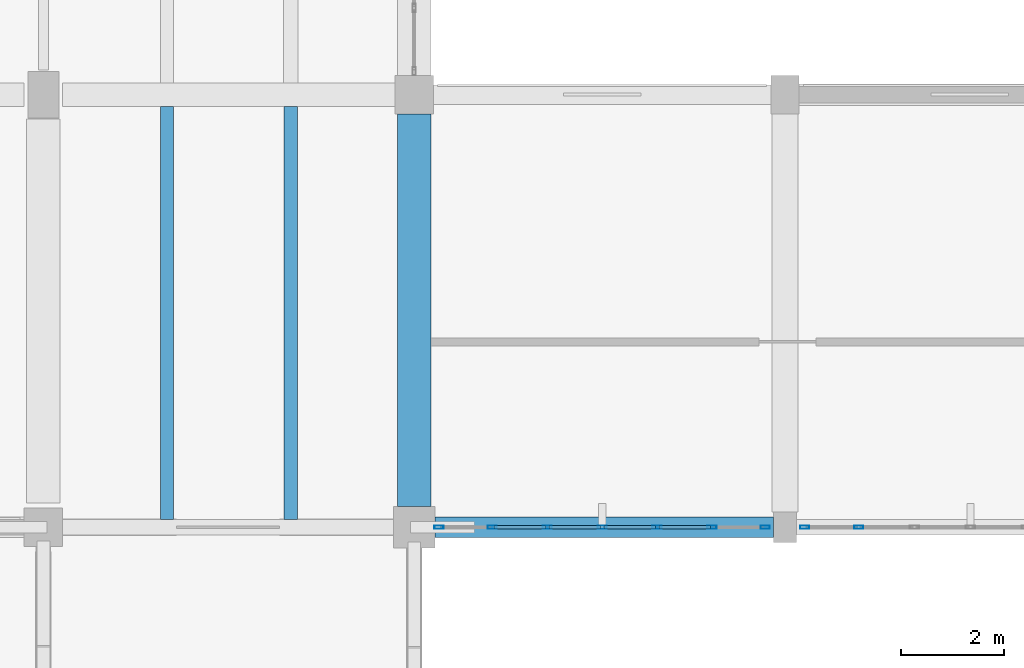
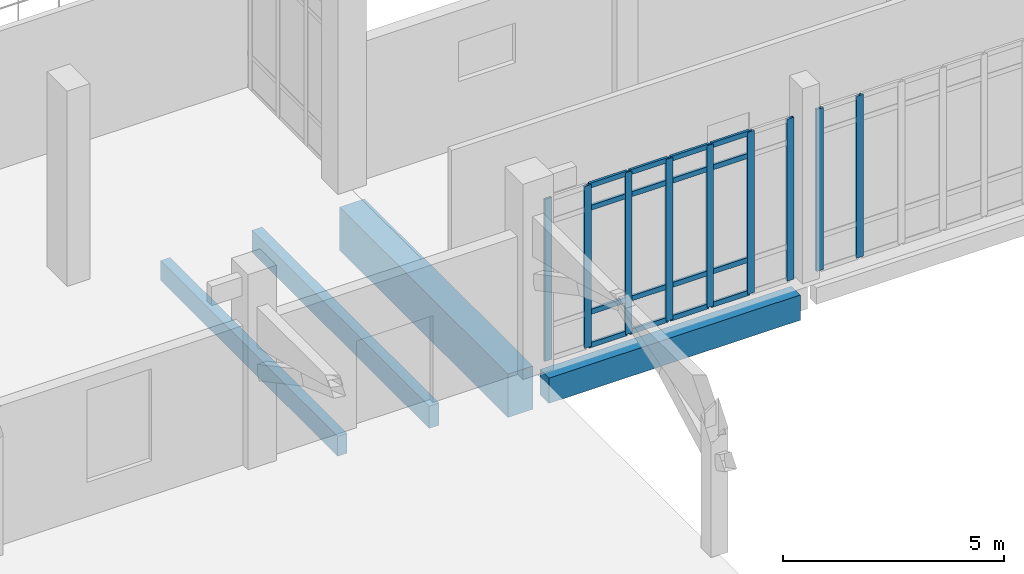
# One storey, part 53 of 110: 25 members, 4 beams, 2 elements without a shape of their own.
"""IFC4 building model written with IfcOpenShell, lengths in metres."""

from ifc_helpers import new_model, si_unit, direction, frame, origin, origin_2d, place, context, subcontext, project, spatial, rectangle, hollow_rectangle, extrude, material, material_profile, profile_set, type_object, element, aggregate, save


model = new_model("IFC4")

# Units and contexts
model_context = context("Model", 3, precision=1e-05, world=origin(), true_north=direction((0.0, 1.0)))
body_context = subcontext(model_context, "Body", "Model", "MODEL_VIEW")
ifc_project = project(units=[si_unit("LENGTHUNIT", "METRE"), si_unit("AREAUNIT", "SQUARE_METRE"), si_unit("VOLUMEUNIT", "CUBIC_METRE"), si_unit("PLANEANGLEUNIT", "RADIAN"), si_unit("MASSUNIT", "GRAM", prefix="KILO")], contexts=[model_context])

# Site, building, storey
site_placement = place(None, origin())
site = spatial("IfcSite", under=ifc_project, at=site_placement, CompositionType="ELEMENT")
building_placement = place(site_placement, origin())
building = spatial("IfcBuilding", under=site, at=building_placement, Name="Kalluvel Institute of Natural Sciences", CompositionType="ELEMENT")
storey_placement = place(building_placement, origin())
storey = spatial("IfcBuildingStorey", under=building, at=storey_placement, Name="L00", CompositionType="ELEMENT", Elevation=0.0)

# Beam
ifc_material_1 = material(Name="Concrete M50", Category="concrete")
ifc_material_profile_1 = material_profile(ifc_material_1, rectangle(XDim=0.64990234375, YDim=1.199951171875, at=origin_2d()), Name="RCB 650x1200")
ifc_profile_set_1 = profile_set([ifc_material_profile_1], Name="Concrete M50")
beam_type_1 = type_object("IfcBeamType", Name="BM-RC650x1200", PredefinedType="BEAM", material=ifc_profile_set_1)
beam_1_placement = place(storey_placement, frame((114.800048828125, 103.199951171875, -0.9599609375), z_axis=(0.0, 1.0, 0.0), x_axis=(-1.0, 0.0, 0.0)))
element("IfcBeam", 1, at=beam_1_placement, inside=storey, type_object=beam_type_1, Name="L00 girder GIR-L00-NS-X1148-Y1028", PredefinedType="BEAM", context=body_context, shape_type="SweptSolid", body=[
    extrude(rectangle(XDim=0.64990234375, YDim=1.199951171875, at=origin_2d()), origin(), (0.0, 0.0, 1.0), 7.625),
])

# Curtain wall, members
ifc_material_2 = material(Name="Aluminium AW-6063 T6", Category="aluminium")
curtain_wall_type = type_object("IfcCurtainWallType", Name="CW-CLN-54", PredefinedType="USERDEFINED", material=ifc_material_2)
curtain_wall_1_placement = place(storey_placement, origin())
curtain_wall_1 = element("IfcCurtainWall", 2, at=curtain_wall_1_placement, inside=storey, type_object=curtain_wall_type, Name="L00 Gothic lancet curtain wall CWA-L00-X1152-Y1028", ObjectType="UNITISED LANCET FACADE", PredefinedType="USERDEFINED")
ifc_material_profile_2 = material_profile(ifc_material_2, hollow_rectangle(XDim=0.06494140625, YDim=0.179931640625, WallThickness=0.00439453125, at=origin_2d()), Name="CWM 65x180")
ifc_profile_set_2 = profile_set([ifc_material_profile_2], Name="Aluminium AW-6063 T6")
member_type_1 = type_object("IfcMemberType", Name="CWM-65x180", PredefinedType="MULLION", material=ifc_profile_set_2)
member_1_placement = place(storey_placement, frame((115.282470703125, 102.800048828125, 0.0), z_axis=(0.0, 0.0, 1.0), x_axis=(0.0, 1.0, 0.0)))
member_1 = element("IfcMember", 3, at=member_1_placement, type_object=member_type_1, Name="CW-09 mullion 1", PredefinedType="MULLION", context=body_context, shape_type="SweptSolid", body=[
    extrude(hollow_rectangle(XDim=0.06494140625, YDim=0.179931640625, WallThickness=0.00439453125, at=origin_2d()), origin(), (0.0, 0.0, 1.0), 4.47998046875),
])
member_2_placement = place(storey_placement, frame((116.316650390625, 102.800048828125, 0.0), z_axis=(0.0, 0.0, 1.0), x_axis=(0.0, 1.0, 0.0)))
member_2 = element("IfcMember", 4, at=member_2_placement, type_object=member_type_1, Name="CW-09 mullion 2", PredefinedType="MULLION", context=body_context, shape_type="SweptSolid", body=[
    extrude(hollow_rectangle(XDim=0.06494140625, YDim=0.179931640625, WallThickness=0.00439453125, at=origin_2d()), origin(), (0.0, 0.0, 1.0), 4.47998046875),
])
member_3_placement = place(storey_placement, frame((117.38330078125, 102.800048828125, 0.0), z_axis=(0.0, 0.0, 1.0), x_axis=(0.0, 1.0, 0.0)))
member_3 = element("IfcMember", 5, at=member_3_placement, type_object=member_type_1, Name="CW-09 mullion 3", PredefinedType="MULLION", context=body_context, shape_type="SweptSolid", body=[
    extrude(hollow_rectangle(XDim=0.06494140625, YDim=0.179931640625, WallThickness=0.00439453125, at=origin_2d()), origin(), (0.0, 0.0, 1.0), 4.47998046875),
])
member_4_placement = place(storey_placement, frame((118.449951171875, 102.800048828125, 0.0), z_axis=(0.0, 0.0, 1.0), x_axis=(0.0, 1.0, 0.0)))
member_4 = element("IfcMember", 6, at=member_4_placement, type_object=member_type_1, Name="CW-09 mullion 4", PredefinedType="MULLION", context=body_context, shape_type="SweptSolid", body=[
    extrude(hollow_rectangle(XDim=0.06494140625, YDim=0.179931640625, WallThickness=0.00439453125, at=origin_2d()), origin(), (0.0, 0.0, 1.0), 4.47998046875),
])
member_5_placement = place(storey_placement, frame((119.5166015625, 102.800048828125, 0.0), z_axis=(0.0, 0.0, 1.0), x_axis=(0.0, 1.0, 0.0)))
member_5 = element("IfcMember", 7, at=member_5_placement, type_object=member_type_1, Name="CW-09 mullion 5", PredefinedType="MULLION", context=body_context, shape_type="SweptSolid", body=[
    extrude(hollow_rectangle(XDim=0.06494140625, YDim=0.179931640625, WallThickness=0.00439453125, at=origin_2d()), origin(), (0.0, 0.0, 1.0), 4.47998046875),
])
member_6_placement = place(storey_placement, frame((120.583251953125, 102.800048828125, 0.0), z_axis=(0.0, 0.0, 1.0), x_axis=(0.0, 1.0, 0.0)))
member_6 = element("IfcMember", 8, at=member_6_placement, type_object=member_type_1, Name="CW-09 mullion 6", PredefinedType="MULLION", context=body_context, shape_type="SweptSolid", body=[
    extrude(hollow_rectangle(XDim=0.06494140625, YDim=0.179931640625, WallThickness=0.00439453125, at=origin_2d()), origin(), (0.0, 0.0, 1.0), 4.47998046875),
])
member_7_placement = place(storey_placement, frame((121.617431640625, 102.800048828125, 0.0), z_axis=(0.0, 0.0, 1.0), x_axis=(0.0, 1.0, 0.0)))
member_7 = element("IfcMember", 9, at=member_7_placement, type_object=member_type_1, Name="CW-09 mullion 7", PredefinedType="MULLION", context=body_context, shape_type="SweptSolid", body=[
    extrude(hollow_rectangle(XDim=0.06494140625, YDim=0.179931640625, WallThickness=0.00439453125, at=origin_2d()), origin(), (0.0, 0.0, 1.0), 4.47998046875),
])

curtain_wall_2_placement = place(storey_placement, origin())
curtain_wall_2 = element("IfcCurtainWall", 10, at=curtain_wall_2_placement, inside=storey, type_object=curtain_wall_type, Name="L00 Gothic lancet curtain wall CWA-L00-X1224-Y1028", ObjectType="UNITISED LANCET FACADE", PredefinedType="USERDEFINED")
member_8_placement = place(storey_placement, frame((122.382568359375, 102.800048828125, 0.0), z_axis=(0.0, 0.0, 1.0), x_axis=(0.0, 1.0, 0.0)))
member_8 = element("IfcMember", 11, at=member_8_placement, type_object=member_type_1, Name="CW-09 mullion 1", PredefinedType="MULLION", context=body_context, shape_type="SweptSolid", body=[
    extrude(hollow_rectangle(XDim=0.06494140625, YDim=0.179931640625, WallThickness=0.00439453125, at=origin_2d()), origin(), (0.0, 0.0, 1.0), 4.47998046875),
])
member_9_placement = place(storey_placement, frame((123.433349609375, 102.800048828125, 0.0), z_axis=(0.0, 0.0, 1.0), x_axis=(0.0, 1.0, 0.0)))
member_9 = element("IfcMember", 12, at=member_9_placement, type_object=member_type_1, Name="CW-09 mullion 2", PredefinedType="MULLION", context=body_context, shape_type="SweptSolid", body=[
    extrude(hollow_rectangle(XDim=0.06494140625, YDim=0.179931640625, WallThickness=0.00439453125, at=origin_2d()), origin(), (0.0, 0.0, 1.0), 4.47998046875),
])
aggregate(curtain_wall_2, [member_8, member_9])

# Member
ifc_material_profile_3 = material_profile(ifc_material_2, hollow_rectangle(XDim=0.06494140625, YDim=0.139892578125, WallThickness=0.00439453125, at=origin_2d()), Name="CWT 65x140")
ifc_profile_set_3 = profile_set([ifc_material_profile_3], Name="Aluminium AW-6063 T6")
member_type_2 = type_object("IfcMemberType", Name="CWT-65x140", PredefinedType="USERDEFINED", material=ifc_profile_set_3)
member_10_placement = place(storey_placement, frame((116.34912109375, 102.800048828125, 0.032470703125), z_axis=(1.0, 0.0, 0.0), x_axis=(0.0, 1.0, 0.0)))
member_10 = element("IfcMember", 13, at=member_10_placement, type_object=member_type_2, Name="CW-09 transom 2.1", ObjectType="TRANSOM", PredefinedType="USERDEFINED", context=body_context, shape_type="SweptSolid", body=[
    extrude(hollow_rectangle(XDim=0.06494140625, YDim=0.139892578125, WallThickness=0.00439453125, at=origin_2d()), origin(), (0.0, 0.0, 1.0), 1.001708984375),
])

member_11_placement = place(storey_placement, frame((116.34912109375, 102.800048828125, 0.949951171875), z_axis=(1.0, 0.0, 0.0), x_axis=(0.0, 1.0, 0.0)))
member_11 = element("IfcMember", 14, at=member_11_placement, type_object=member_type_2, Name="CW-09 transom 2.2", ObjectType="TRANSOM", PredefinedType="USERDEFINED", context=body_context, shape_type="SweptSolid", body=[
    extrude(hollow_rectangle(XDim=0.06494140625, YDim=0.139892578125, WallThickness=0.00439453125, at=origin_2d()), origin(), (0.0, 0.0, 1.0), 1.001708984375),
])

member_12_placement = place(storey_placement, frame((116.34912109375, 102.800048828125, 3.830078125), z_axis=(1.0, 0.0, 0.0), x_axis=(0.0, 1.0, 0.0)))
member_12 = element("IfcMember", 15, at=member_12_placement, type_object=member_type_2, Name="CW-09 transom 2.3", ObjectType="TRANSOM", PredefinedType="USERDEFINED", context=body_context, shape_type="SweptSolid", body=[
    extrude(hollow_rectangle(XDim=0.06494140625, YDim=0.139892578125, WallThickness=0.00439453125, at=origin_2d()), origin(), (0.0, 0.0, 1.0), 1.001708984375),
])

member_13_placement = place(storey_placement, frame((116.34912109375, 102.800048828125, 4.447509765625), z_axis=(1.0, 0.0, 0.0), x_axis=(0.0, 1.0, 0.0)))
member_13 = element("IfcMember", 16, at=member_13_placement, type_object=member_type_2, Name="CW-09 transom 2.4", ObjectType="TRANSOM", PredefinedType="USERDEFINED", context=body_context, shape_type="SweptSolid", body=[
    extrude(hollow_rectangle(XDim=0.06494140625, YDim=0.139892578125, WallThickness=0.00439453125, at=origin_2d()), origin(), (0.0, 0.0, 1.0), 1.001708984375),
])

member_14_placement = place(storey_placement, frame((117.415771484375, 102.800048828125, 0.032470703125), z_axis=(1.0, 0.0, 0.0), x_axis=(0.0, 1.0, 0.0)))
member_14 = element("IfcMember", 17, at=member_14_placement, type_object=member_type_2, Name="CW-09 transom 3.1", ObjectType="TRANSOM", PredefinedType="USERDEFINED", context=body_context, shape_type="SweptSolid", body=[
    extrude(hollow_rectangle(XDim=0.06494140625, YDim=0.139892578125, WallThickness=0.00439453125, at=origin_2d()), origin(), (0.0, 0.0, 1.0), 1.001708984375),
])

member_15_placement = place(storey_placement, frame((117.415771484375, 102.800048828125, 0.949951171875), z_axis=(1.0, 0.0, 0.0), x_axis=(0.0, 1.0, 0.0)))
member_15 = element("IfcMember", 18, at=member_15_placement, type_object=member_type_2, Name="CW-09 transom 3.2", ObjectType="TRANSOM", PredefinedType="USERDEFINED", context=body_context, shape_type="SweptSolid", body=[
    extrude(hollow_rectangle(XDim=0.06494140625, YDim=0.139892578125, WallThickness=0.00439453125, at=origin_2d()), origin(), (0.0, 0.0, 1.0), 1.001708984375),
])

member_16_placement = place(storey_placement, frame((117.415771484375, 102.800048828125, 3.830078125), z_axis=(1.0, 0.0, 0.0), x_axis=(0.0, 1.0, 0.0)))
member_16 = element("IfcMember", 19, at=member_16_placement, type_object=member_type_2, Name="CW-09 transom 3.3", ObjectType="TRANSOM", PredefinedType="USERDEFINED", context=body_context, shape_type="SweptSolid", body=[
    extrude(hollow_rectangle(XDim=0.06494140625, YDim=0.139892578125, WallThickness=0.00439453125, at=origin_2d()), origin(), (0.0, 0.0, 1.0), 1.001708984375),
])

member_17_placement = place(storey_placement, frame((117.415771484375, 102.800048828125, 4.447509765625), z_axis=(1.0, 0.0, 0.0), x_axis=(0.0, 1.0, 0.0)))
member_17 = element("IfcMember", 20, at=member_17_placement, type_object=member_type_2, Name="CW-09 transom 3.4", ObjectType="TRANSOM", PredefinedType="USERDEFINED", context=body_context, shape_type="SweptSolid", body=[
    extrude(hollow_rectangle(XDim=0.06494140625, YDim=0.139892578125, WallThickness=0.00439453125, at=origin_2d()), origin(), (0.0, 0.0, 1.0), 1.001708984375),
])

member_18_placement = place(storey_placement, frame((118.482421875, 102.800048828125, 0.032470703125), z_axis=(1.0, 0.0, 0.0), x_axis=(0.0, 1.0, 0.0)))
member_18 = element("IfcMember", 21, at=member_18_placement, type_object=member_type_2, Name="CW-09 transom 4.1", ObjectType="TRANSOM", PredefinedType="USERDEFINED", context=body_context, shape_type="SweptSolid", body=[
    extrude(hollow_rectangle(XDim=0.06494140625, YDim=0.139892578125, WallThickness=0.00439453125, at=origin_2d()), origin(), (0.0, 0.0, 1.0), 1.001708984375),
])

member_19_placement = place(storey_placement, frame((118.482421875, 102.800048828125, 0.949951171875), z_axis=(1.0, 0.0, 0.0), x_axis=(0.0, 1.0, 0.0)))
member_19 = element("IfcMember", 22, at=member_19_placement, type_object=member_type_2, Name="CW-09 transom 4.2", ObjectType="TRANSOM", PredefinedType="USERDEFINED", context=body_context, shape_type="SweptSolid", body=[
    extrude(hollow_rectangle(XDim=0.06494140625, YDim=0.139892578125, WallThickness=0.00439453125, at=origin_2d()), origin(), (0.0, 0.0, 1.0), 1.001708984375),
])

member_20_placement = place(storey_placement, frame((118.482421875, 102.800048828125, 3.830078125), z_axis=(1.0, 0.0, 0.0), x_axis=(0.0, 1.0, 0.0)))
member_20 = element("IfcMember", 23, at=member_20_placement, type_object=member_type_2, Name="CW-09 transom 4.3", ObjectType="TRANSOM", PredefinedType="USERDEFINED", context=body_context, shape_type="SweptSolid", body=[
    extrude(hollow_rectangle(XDim=0.06494140625, YDim=0.139892578125, WallThickness=0.00439453125, at=origin_2d()), origin(), (0.0, 0.0, 1.0), 1.001708984375),
])

member_21_placement = place(storey_placement, frame((118.482421875, 102.800048828125, 4.447509765625), z_axis=(1.0, 0.0, 0.0), x_axis=(0.0, 1.0, 0.0)))
member_21 = element("IfcMember", 24, at=member_21_placement, type_object=member_type_2, Name="CW-09 transom 4.4", ObjectType="TRANSOM", PredefinedType="USERDEFINED", context=body_context, shape_type="SweptSolid", body=[
    extrude(hollow_rectangle(XDim=0.06494140625, YDim=0.139892578125, WallThickness=0.00439453125, at=origin_2d()), origin(), (0.0, 0.0, 1.0), 1.001708984375),
])

member_22_placement = place(storey_placement, frame((119.549072265625, 102.800048828125, 0.032470703125), z_axis=(1.0, 0.0, 0.0), x_axis=(0.0, 1.0, 0.0)))
member_22 = element("IfcMember", 25, at=member_22_placement, type_object=member_type_2, Name="CW-09 transom 5.1", ObjectType="TRANSOM", PredefinedType="USERDEFINED", context=body_context, shape_type="SweptSolid", body=[
    extrude(hollow_rectangle(XDim=0.06494140625, YDim=0.139892578125, WallThickness=0.00439453125, at=origin_2d()), origin(), (0.0, 0.0, 1.0), 1.001708984375),
])

member_23_placement = place(storey_placement, frame((119.549072265625, 102.800048828125, 0.949951171875), z_axis=(1.0, 0.0, 0.0), x_axis=(0.0, 1.0, 0.0)))
member_23 = element("IfcMember", 26, at=member_23_placement, type_object=member_type_2, Name="CW-09 transom 5.2", ObjectType="TRANSOM", PredefinedType="USERDEFINED", context=body_context, shape_type="SweptSolid", body=[
    extrude(hollow_rectangle(XDim=0.06494140625, YDim=0.139892578125, WallThickness=0.00439453125, at=origin_2d()), origin(), (0.0, 0.0, 1.0), 1.001708984375),
])

member_24_placement = place(storey_placement, frame((119.549072265625, 102.800048828125, 3.830078125), z_axis=(1.0, 0.0, 0.0), x_axis=(0.0, 1.0, 0.0)))
member_24 = element("IfcMember", 27, at=member_24_placement, type_object=member_type_2, Name="CW-09 transom 5.3", ObjectType="TRANSOM", PredefinedType="USERDEFINED", context=body_context, shape_type="SweptSolid", body=[
    extrude(hollow_rectangle(XDim=0.06494140625, YDim=0.139892578125, WallThickness=0.00439453125, at=origin_2d()), origin(), (0.0, 0.0, 1.0), 1.001708984375),
])

member_25_placement = place(storey_placement, frame((119.549072265625, 102.800048828125, 4.447509765625), z_axis=(1.0, 0.0, 0.0), x_axis=(0.0, 1.0, 0.0)))
member_25 = element("IfcMember", 28, at=member_25_placement, type_object=member_type_2, Name="CW-09 transom 5.4", ObjectType="TRANSOM", PredefinedType="USERDEFINED", context=body_context, shape_type="SweptSolid", body=[
    extrude(hollow_rectangle(XDim=0.06494140625, YDim=0.139892578125, WallThickness=0.00439453125, at=origin_2d()), origin(), (0.0, 0.0, 1.0), 1.001708984375),
])

aggregate(curtain_wall_1, [member_1, member_2, member_3, member_4, member_5, member_6, member_7, member_10, member_11, member_12, member_13, member_14, member_15, member_16, member_17, member_18, member_19, member_20, member_21, member_22, member_23, member_24, member_25])

# Beams
ifc_material_3 = material(Name="Concrete M40", Category="concrete")
ifc_material_profile_4 = material_profile(ifc_material_3, rectangle(XDim=0.39990234375, YDim=0.699951171875, at=origin_2d()), Name="RCB 400x700")
ifc_profile_set_4 = profile_set([ifc_material_profile_4], Name="Concrete M40")
beam_type_2 = type_object("IfcBeamType", Name="SP-RC400x700", PredefinedType="SPANDREL", material=ifc_profile_set_4)
beam_2_placement = place(storey_placement, frame((115.199951171875, 102.800048828125, -0.7099609375), z_axis=(1.0, 0.0, 0.0), x_axis=(0.0, 1.0, 0.0)))
element("IfcBeam", 29, at=beam_2_placement, inside=storey, type_object=beam_type_2, Name="L00 girder GIR-L00-EW-X1148-Y1028", PredefinedType="SPANDREL", context=body_context, shape_type="SweptSolid", body=[
    extrude(rectangle(XDim=0.39990234375, YDim=0.699951171875, at=origin_2d()), origin(), (0.0, 0.0, 1.0), 6.574951171875),
])
ifc_material_profile_5 = material_profile(ifc_material_3, rectangle(XDim=0.25, YDim=0.550048828125, at=origin_2d()), Name="WAF 250x550")
ifc_profile_set_5 = profile_set([ifc_material_profile_5], Name="Concrete M40")
beam_type_3 = type_object("IfcBeamType", Name="WJ-250x550", PredefinedType="JOIST", material=ifc_profile_set_5)
beam_3_placement = place(storey_placement, frame((110.0, 102.949951171875, -0.594970703125), z_axis=(0.0, 1.0, 0.0), x_axis=(-1.0, 0.0, 0.0)))
element("IfcBeam", 30, at=beam_3_placement, inside=storey, type_object=beam_type_3, Name="L00 waffle joist RIB-L00-0064", PredefinedType="JOIST", context=body_context, shape_type="SweptSolid", body=[
    extrude(rectangle(XDim=0.25, YDim=0.550048828125, at=origin_2d()), origin(), (0.0, 0.0, 1.0), 8.025146484375),
])
ifc_material_profile_6 = material_profile(ifc_material_1, rectangle(XDim=0.260009765625, YDim=0.6201171875, at=origin_2d()), Name="WAF 260x620")
ifc_profile_set_6 = profile_set([ifc_material_profile_6], Name="Concrete M50")
beam_type_4 = type_object("IfcBeamType", Name="WJ-260x620", PredefinedType="JOIST", material=ifc_profile_set_6)
beam_4_placement = place(storey_placement, frame((112.39990234375, 102.949951171875, -0.6298828125), z_axis=(0.0, 1.0, 0.0), x_axis=(-1.0, 0.0, 0.0)))
element("IfcBeam", 31, at=beam_4_placement, inside=storey, type_object=beam_type_4, Name="L00 waffle joist RIB-L00-0065", PredefinedType="JOIST", context=body_context, shape_type="SweptSolid", body=[
    extrude(rectangle(XDim=0.260009765625, YDim=0.6201171875, at=origin_2d()), origin(), (0.0, 0.0, 1.0), 8.025146484375),
])

save(model, "model.ifc")
